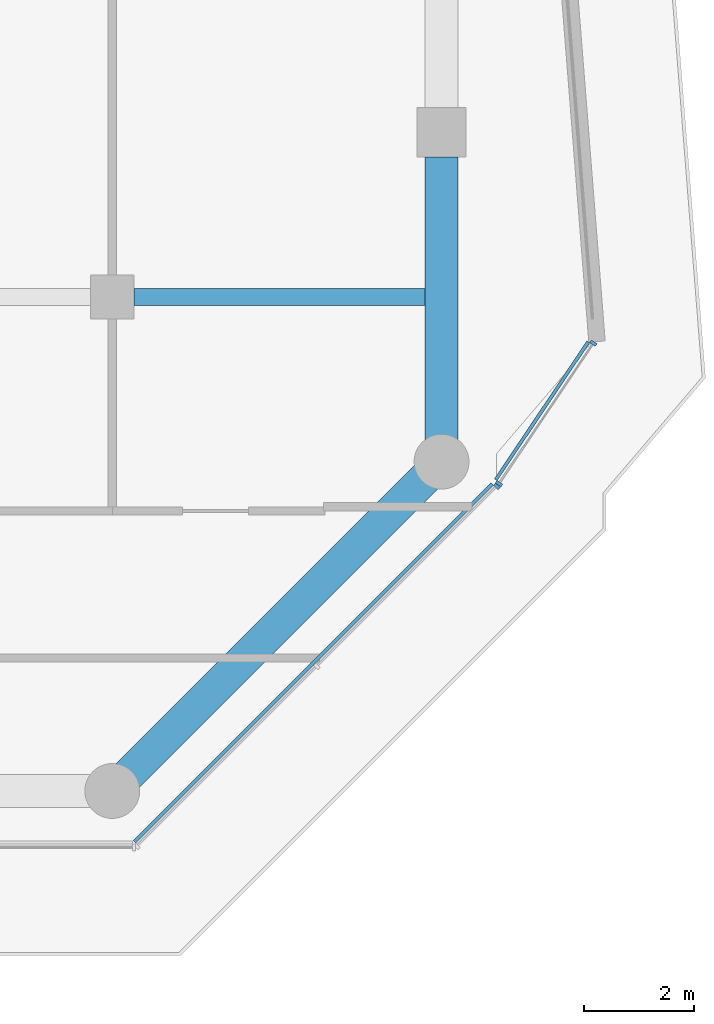
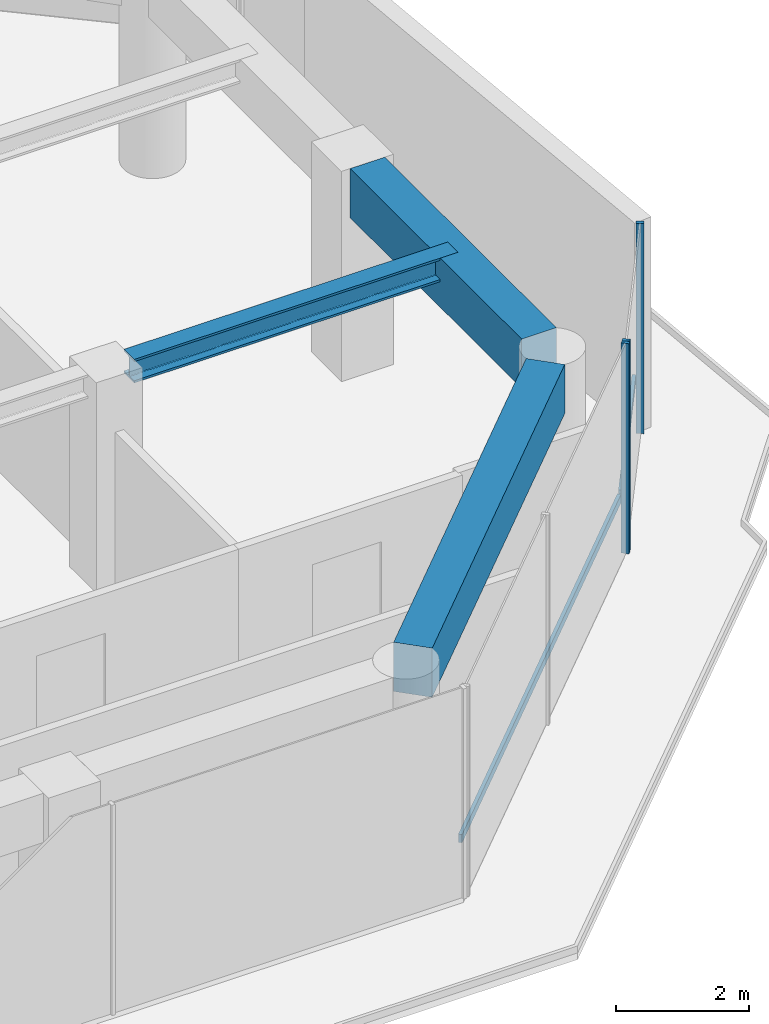
# One storey, part 7 of 25: 5 members, 3 beams, 2 elements without a shape of their own.
"""IFC4 building model written with IfcOpenShell, lengths in metres."""

from ifc_helpers import new_model, si_unit, direction, frame, origin, origin_2d, place, context, subcontext, project, spatial, rectangle, i_section, extrude, material, layer, layer_set, material_profile, profile_set, type_object, element, aggregate, save


model = new_model("IFC4")

# Units and contexts
model_context = context("Model", 3, precision=1e-05, world=origin(), true_north=direction((0.0, 1.0)))
body_context = subcontext(model_context, "Body", "Model", "MODEL_VIEW")
ifc_project = project(units=[si_unit("LENGTHUNIT", "METRE"), si_unit("AREAUNIT", "SQUARE_METRE"), si_unit("VOLUMEUNIT", "CUBIC_METRE"), si_unit("PLANEANGLEUNIT", "RADIAN"), si_unit("MASSUNIT", "GRAM", prefix="KILO")], contexts=[model_context])

# Site, building, storey
site_placement = place(None, origin())
site = spatial("IfcSite", under=ifc_project, at=site_placement, CompositionType="ELEMENT")
building_placement = place(site_placement, origin())
building = spatial("IfcBuilding", under=site, at=building_placement, Name="Welwitschia Terrace Campus", CompositionType="ELEMENT")
storey_placement = place(building_placement, frame((0.0, 0.0, 92.0)))
storey = spatial("IfcBuildingStorey", under=building, at=storey_placement, Name="L20", CompositionType="ELEMENT", Elevation=92.0)

# Beam
ifc_material_1 = material(Name="Steel S355", Category="steel")
ifc_material_profile_1 = material_profile(ifc_material_1, i_section(OverallWidth=0.306884765625, OverallDepth=0.431884765625, WebThickness=0.02099609375, FlangeThickness=0.0400390625, FilletRadius=0.027099609375, at=origin_2d()))
ifc_profile_set_1 = profile_set([ifc_material_profile_1], Name="Steel S355")
beam_type_1 = type_object("IfcBeamType", Name="Interior girder HE 400 M", PredefinedType="BEAM", material=ifc_profile_set_1)
beam_1_placement = place(storey_placement, frame((48.400390625, 13.0, 3.634033203125), z_axis=(1.0, 0.0, 0.0), x_axis=(0.0, 1.0, 0.0)))
element("IfcBeam", 1, at=beam_1_placement, inside=storey, type_object=beam_type_1, Name="Girder GB3", PredefinedType="BEAM", context=body_context, shape_type="SweptSolid", body=[
    extrude(i_section(OverallWidth=0.306884765625, OverallDepth=0.431884765625, WebThickness=0.02099609375, FlangeThickness=0.0400390625, FilletRadius=0.027099609375, at=origin_2d()), origin(), (0.0, 0.0, 1.0), 5.609619140625),
])

# Curtain wall, member
ifc_material_2 = material(Name="Bronze anodised aluminium", Category="aluminium")
ifc_layer = layer(ifc_material_2, 0.1201171875)
ifc_layer_set = layer_set([ifc_layer], Name="Bronze anodised aluminium")
curtain_wall_type = type_object("IfcCurtainWallType", Name="Curtain wall CW2 tower 6000", PredefinedType="NOTDEFINED", material=ifc_layer_set)
curtain_wall_1_placement = place(storey_placement, origin())
curtain_wall_1 = element("IfcCurtainWall", 2, at=curtain_wall_1_placement, inside=storey, type_object=curtain_wall_type, Name="CW L20.4.0", PredefinedType="NOTDEFINED")
ifc_material_3 = material(Name="Bronze anodised aluminium", Category="aluminium")
ifc_material_profile_2 = material_profile(ifc_material_3, rectangle(XDim=0.1201171875, YDim=0.06005859375, at=origin_2d()))
ifc_profile_set_2 = profile_set([ifc_material_profile_2], Name="Bronze anodised aluminium")
member_type_1 = type_object("IfcMemberType", Name="Mullion 60x120", PredefinedType="MULLION", material=ifc_profile_set_2)
member_1_placement = place(storey_placement, frame((55.0087890625, 9.55224609375, 0.0), z_axis=(0.0, 0.0, 1.0), x_axis=(-0.707106781187, 0.707106781187, 0.0)))
member_1 = element("IfcMember", 3, at=member_1_placement, type_object=member_type_1, Name="Mullion L20.4.0.2", PredefinedType="MULLION", context=body_context, shape_type="SweptSolid", body=[
    extrude(rectangle(XDim=0.1201171875, YDim=0.06005859375, at=origin_2d()), origin(), (0.0, 0.0, 1.0), 3.85009765625),
])

# Curtain wall, members
curtain_wall_2_placement = place(storey_placement, origin())
curtain_wall_2 = element("IfcCurtainWall", 4, at=curtain_wall_2_placement, inside=storey, type_object=curtain_wall_type, Name="CW L20.5.0", PredefinedType="NOTDEFINED")
member_2_placement = place(storey_placement, frame((55.046630859375, 9.598388671875, 0.0), z_axis=(0.0, 0.0, 1.0), x_axis=(-0.830318705068, 0.557288837152, 0.0)))
member_2 = element("IfcMember", 5, at=member_2_placement, type_object=member_type_1, Name="Mullion L20.5.0.0", PredefinedType="MULLION", context=body_context, shape_type="SweptSolid", body=[
    extrude(rectangle(XDim=0.1201171875, YDim=0.06005859375, at=origin_2d()), origin(), (0.0, 0.0, 1.0), 3.85009765625),
])
member_3_placement = place(storey_placement, frame((56.765625, 12.159423828125, 0.0), z_axis=(0.0, 0.0, 1.0), x_axis=(-0.830318705068, 0.557288837152, 0.0)))
member_3 = element("IfcMember", 6, at=member_3_placement, type_object=member_type_1, Name="Mullion L20.5.0.1", PredefinedType="MULLION", context=body_context, shape_type="SweptSolid", body=[
    extrude(rectangle(XDim=0.1201171875, YDim=0.06005859375, at=origin_2d()), origin(), (0.0, 0.0, 1.0), 3.85009765625),
])

# Beams
ifc_material_4 = material(Name="Concrete C60/75", Category="concrete")
ifc_material_profile_3 = material_profile(ifc_material_4, rectangle(XDim=0.60009765625, YDim=0.89990234375, at=origin_2d()))
ifc_profile_set_3 = profile_set([ifc_material_profile_3], Name="Concrete C60/75")
beam_type_2 = type_object("IfcBeamType", Name="Ring spandrel 600x900", PredefinedType="SPANDREL", material=ifc_profile_set_3)
beam_2_placement = place(storey_placement, frame((48.283203125, 4.283203125, 3.39990234375), z_axis=(0.707106781187, 0.707106781187, 0.0), x_axis=(-0.707106781187, 0.707106781187, 0.0)))
element("IfcBeam", 7, at=beam_2_placement, inside=storey, type_object=beam_type_2, Name="Spandrel SP2", PredefinedType="SPANDREL", context=body_context, shape_type="SweptSolid", body=[
    extrude(rectangle(XDim=0.60009765625, YDim=0.89990234375, at=origin_2d()), origin(), (0.0, 0.0, 1.0), 7.684326171875),
])
beam_3_placement = place(storey_placement, frame((54.0, 10.400390625, 3.39990234375), z_axis=(0.0, 1.0, 0.0), x_axis=(-1.0, 0.0, 0.0)))
element("IfcBeam", 8, at=beam_3_placement, inside=storey, type_object=beam_type_2, Name="Spandrel SP2", PredefinedType="SPANDREL", context=body_context, shape_type="SweptSolid", body=[
    extrude(rectangle(XDim=0.60009765625, YDim=0.89990234375, at=origin_2d()), origin(), (0.0, 0.0, 1.0), 5.149169921875),
])

# Member
ifc_material_5 = material(Name="Bronze anodised aluminium", Category="aluminium")
ifc_material_profile_4 = material_profile(ifc_material_5, rectangle(XDim=0.06005859375, YDim=0.14990234375, at=origin_2d()))
ifc_profile_set_4 = profile_set([ifc_material_profile_4], Name="Bronze anodised aluminium")
member_type_2 = type_object("IfcMemberType", Name="Transom 60x150", PredefinedType="USERDEFINED", material=ifc_profile_set_4)
member_4_placement = place(storey_placement, frame((48.405517578125, 3.076171875, 1.0), z_axis=(0.707106781187, 0.707106781187, 0.0), x_axis=(-0.707106781187, 0.707106781187, 0.0)))
member_4 = element("IfcMember", 9, at=member_4_placement, type_object=member_type_2, Name="Transom L20.4.0", ObjectType="TRANSOM", PredefinedType="USERDEFINED", context=body_context, shape_type="SweptSolid", body=[
    extrude(rectangle(XDim=0.06005859375, YDim=0.14990234375, at=origin_2d()), origin(), (0.0, 0.0, 1.0), 9.21826171875),
])

aggregate(curtain_wall_1, [member_1, member_4])

member_5_placement = place(storey_placement, frame((54.98876953125, 9.67333984375, 1.0), z_axis=(0.557268065423, 0.830332646148, 0.0), x_axis=(-0.830332646148, 0.557268065423, 0.0)))
member_5 = element("IfcMember", 10, at=member_5_placement, type_object=member_type_2, Name="Transom L20.5.0", ObjectType="TRANSOM", PredefinedType="USERDEFINED", context=body_context, shape_type="SweptSolid", body=[
    extrude(rectangle(XDim=0.06005859375, YDim=0.14990234375, at=origin_2d()), origin(), (0.0, 0.0, 1.0), 3.024658203125),
])

aggregate(curtain_wall_2, [member_2, member_3, member_5])

save(model, "model.ifc")
